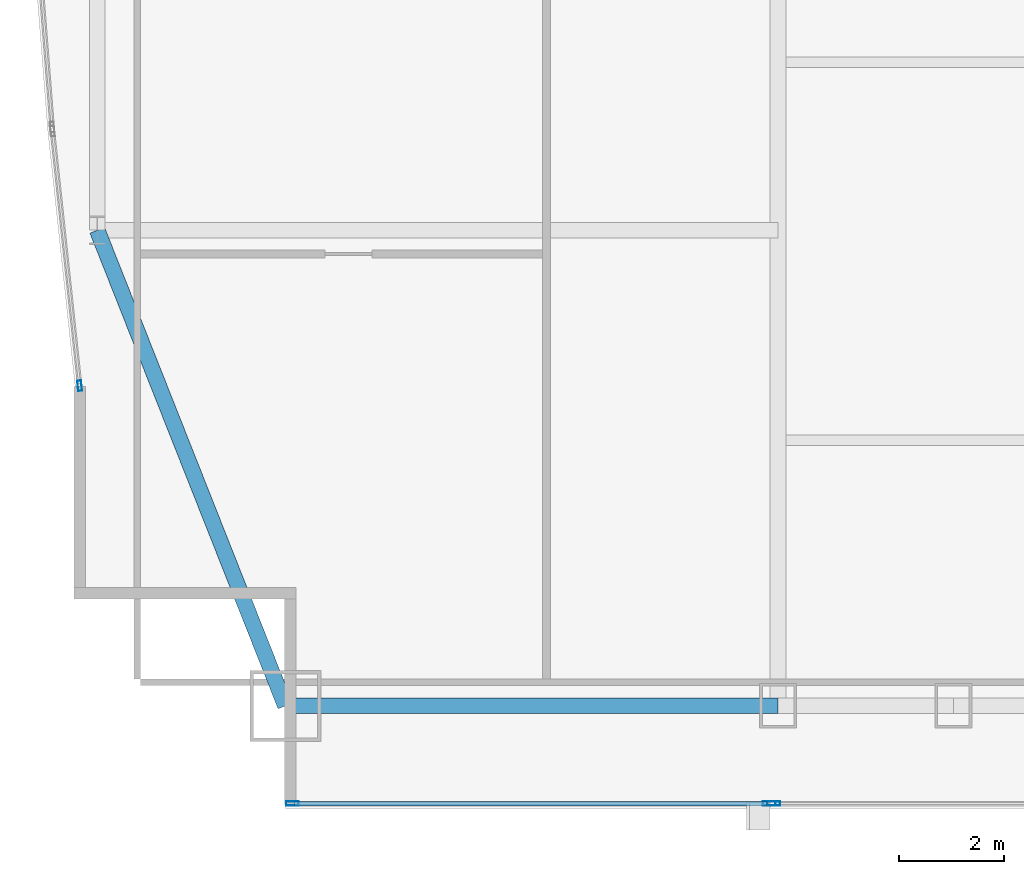
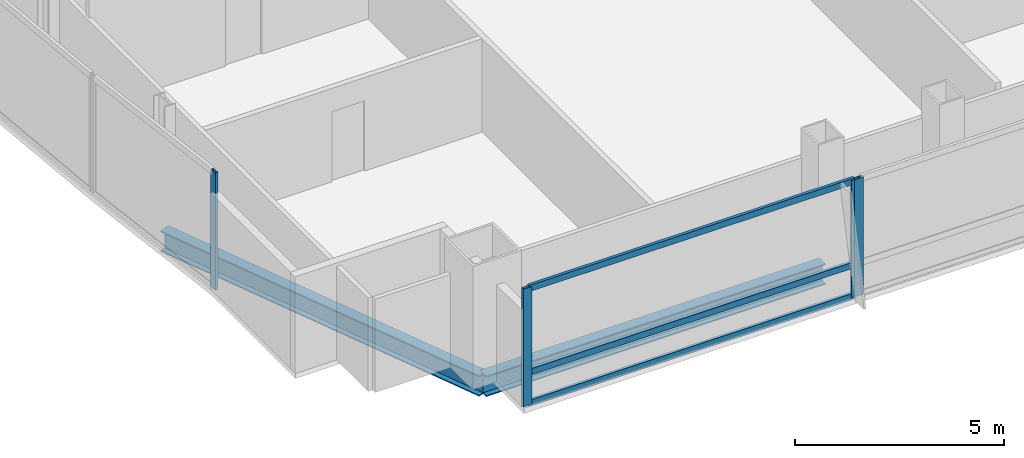
# One storey, part 5 of 29: 7 members, 2 beams, 3 elements without a shape of their own.
"""IFC4 building model written with IfcOpenShell, lengths in metres."""

from ifc_helpers import new_model, si_unit, direction, frame, origin, origin_2d, place, context, subcontext, project, spatial, hollow_rectangle, i_section, extrude, material, material_profile, profile_set, type_object, element, aggregate, save


model = new_model("IFC4")

# Units and contexts
model_context = context("Model", 3, precision=1e-05, world=origin(), true_north=direction((0.0, 1.0)))
body_context = subcontext(model_context, "Body", "Model", "MODEL_VIEW")
ifc_project = project(units=[si_unit("LENGTHUNIT", "METRE"), si_unit("AREAUNIT", "SQUARE_METRE"), si_unit("VOLUMEUNIT", "CUBIC_METRE"), si_unit("PLANEANGLEUNIT", "RADIAN"), si_unit("MASSUNIT", "GRAM", prefix="KILO")], contexts=[model_context])

# Site, building, storey
site_placement = place(None, origin())
site = spatial("IfcSite", under=ifc_project, at=site_placement, CompositionType="ELEMENT")
building_placement = place(site_placement, origin())
building = spatial("IfcBuilding", under=site, at=building_placement, Name="Khoronbel Lancet Exchange", CompositionType="ELEMENT")
storey_placement = place(building_placement, frame((0.0, 0.0, 139.800048828125)))
storey = spatial("IfcBuildingStorey", under=building, at=storey_placement, Name="L34", CompositionType="ELEMENT", Elevation=139.800048828125)

# Beams
ifc_material_1 = material(Name="Steel S355", Category="steel")
ifc_material_profile_1 = material_profile(ifc_material_1, i_section(OverallWidth=0.300048828125, OverallDepth=0.60009765625, WebThickness=0.015380859375, FlangeThickness=0.030029296875, at=origin_2d()), Name="HEB 600")
ifc_profile_set_1 = profile_set([ifc_material_profile_1], Name="Steel S355")
beam_type = type_object("IfcBeamType", Name="BM-BSP2", PredefinedType="SPANDREL", material=ifc_profile_set_1)
beam_1_placement = place(storey_placement, frame((8.85009765625, 10.14990234375, -0.4599609375), z_axis=(1.0, 0.0, 0.0), x_axis=(0.0, 1.0, 0.0)))
element("IfcBeam", 1, at=beam_1_placement, inside=storey, type_object=beam_type, Name="Level L34 perimeter spandrel beam SP01", PredefinedType="SPANDREL", context=body_context, shape_type="SweptSolid", body=[
    extrude(i_section(OverallWidth=0.300048828125, OverallDepth=0.60009765625, WebThickness=0.015380859375, FlangeThickness=0.030029296875, at=origin_2d()), origin(), (0.0, 0.0, 1.0), 9.375),
])
beam_2_placement = place(storey_placement, frame((5.27001953125, 19.199951171875, -0.4599609375), z_axis=(0.367850095026, -0.92988510451, 0.0), x_axis=(0.92988510451, 0.367850095026, 0.0)))
element("IfcBeam", 2, at=beam_2_placement, inside=storey, type_object=beam_type, Name="Level L34 perimeter spandrel beam SP21", PredefinedType="SPANDREL", context=body_context, shape_type="SweptSolid", body=[
    extrude(i_section(OverallWidth=0.300048828125, OverallDepth=0.60009765625, WebThickness=0.015380859375, FlangeThickness=0.030029296875, at=origin_2d()), origin(), (0.0, 0.0, 1.0), 9.732421875),
])

# Curtain wall, members
ifc_material_2 = material(Name="Low-E Solar Control Insulating Glass", Category="glass")
curtain_wall_type_1 = type_object("IfcCurtainWallType", Name="CW-3", PredefinedType="NOTDEFINED", material=ifc_material_2)
curtain_wall_1_placement = place(storey_placement, origin())
curtain_wall_1 = element("IfcCurtainWall", 3, at=curtain_wall_1_placement, inside=storey, type_object=curtain_wall_type_1, Name="Unitised curtain wall CW-L34-SWV", PredefinedType="NOTDEFINED")
ifc_material_3 = material(Name="Bronze-Anodised Aluminium 6063-T6", Category="aluminium")
ifc_material_profile_2 = material_profile(ifc_material_3, hollow_rectangle(XDim=0.0849609375, YDim=0.239990234375, WallThickness=0.006103515625, at=origin_2d()), Name="ALU MULLION 85x240")
ifc_profile_set_2 = profile_set([ifc_material_profile_2], Name="Bronze-Anodised Aluminium 6063-T6")
member_type_1 = type_object("IfcMemberType", Name="MEM-CWM1", PredefinedType="MULLION", material=ifc_profile_set_2)
member_1_placement = place(storey_placement, frame((8.982421875, 8.2900390625, 0.0), z_axis=(0.0, 0.0, 1.0), x_axis=(0.0, 1.0, 0.0)))
member_1 = element("IfcMember", 4, at=member_1_placement, type_object=member_type_1, Name="CW3 mullion 1", PredefinedType="MULLION", context=body_context, shape_type="SweptSolid", body=[
    extrude(hollow_rectangle(XDim=0.0849609375, YDim=0.239990234375, WallThickness=0.006103515625, at=origin_2d()), origin(), (0.0, 0.0, 1.0), 3.43994140625),
])
member_2_placement = place(storey_placement, frame((18.0576171875, 8.2900390625, 0.0), z_axis=(0.0, 0.0, 1.0), x_axis=(0.0, 1.0, 0.0)))
member_2 = element("IfcMember", 5, at=member_2_placement, type_object=member_type_1, Name="CW3 mullion 2", PredefinedType="MULLION", context=body_context, shape_type="SweptSolid", body=[
    extrude(hollow_rectangle(XDim=0.0849609375, YDim=0.239990234375, WallThickness=0.006103515625, at=origin_2d()), origin(), (0.0, 0.0, 1.0), 3.43994140625),
])

# Curtain wall, member
curtain_wall_2_placement = place(storey_placement, origin())
curtain_wall_2 = element("IfcCurtainWall", 6, at=curtain_wall_2_placement, inside=storey, type_object=curtain_wall_type_1, Name="Unitised curtain wall CW-L34-SWB", PredefinedType="NOTDEFINED")
member_3_placement = place(storey_placement, frame((18.142578125, 8.2900390625, 0.0), z_axis=(0.0, 0.0, 1.0), x_axis=(0.0, 1.0, 0.0)))
member_3 = element("IfcMember", 7, at=member_3_placement, type_object=member_type_1, Name="CW3 mullion 1", PredefinedType="MULLION", context=body_context, shape_type="SweptSolid", body=[
    extrude(hollow_rectangle(XDim=0.0849609375, YDim=0.239990234375, WallThickness=0.006103515625, at=origin_2d()), origin(), (0.0, 0.0, 1.0), 3.43994140625),
])
aggregate(curtain_wall_2, [member_3])

curtain_wall_type_2 = type_object("IfcCurtainWallType", Name="CW-4", PredefinedType="NOTDEFINED", material=ifc_material_2)
curtain_wall_3_placement = place(storey_placement, origin())
curtain_wall_3 = element("IfcCurtainWall", 8, at=curtain_wall_3_placement, inside=storey, type_object=curtain_wall_type_2, Name="Unitised curtain wall CW-L34-E04", PredefinedType="NOTDEFINED")
ifc_material_profile_3 = material_profile(ifc_material_3, hollow_rectangle(XDim=0.074951171875, YDim=0.199951171875, WallThickness=0.0048828125, at=origin_2d()), Name="ALU MULLION 75x200")
ifc_profile_set_3 = profile_set([ifc_material_profile_3], Name="Bronze-Anodised Aluminium 6063-T6")
member_type_2 = type_object("IfcMemberType", Name="MEM-CWM2", PredefinedType="MULLION", material=ifc_profile_set_3)
member_4_placement = place(storey_placement, frame((4.93603515625, 16.2421875, 0.0), z_axis=(0.0, 0.0, 1.0), x_axis=(-0.994346859972, -0.106180610586, 0.0)))
member_4 = element("IfcMember", 9, at=member_4_placement, type_object=member_type_2, Name="CW4 mullion 1", PredefinedType="MULLION", context=body_context, shape_type="SweptSolid", body=[
    extrude(hollow_rectangle(XDim=0.074951171875, YDim=0.199951171875, WallThickness=0.0048828125, at=origin_2d()), origin(), (0.0, 0.0, 1.0), 3.43994140625),
])
aggregate(curtain_wall_3, [member_4])

# Member
ifc_material_profile_4 = material_profile(ifc_material_3, hollow_rectangle(XDim=0.0849609375, YDim=0.179931640625, WallThickness=0.0048828125, at=origin_2d()), Name="ALU TRANSOM 85x180")
ifc_profile_set_4 = profile_set([ifc_material_profile_4], Name="Bronze-Anodised Aluminium 6063-T6")
member_type_3 = type_object("IfcMemberType", Name="MEM-CWT1", PredefinedType="USERDEFINED", material=ifc_profile_set_4)
member_5_placement = place(storey_placement, frame((9.02490234375, 8.2900390625, 0.04248046875), z_axis=(1.0, 0.0, 0.0), x_axis=(0.0, 1.0, 0.0)))
member_5 = element("IfcMember", 10, at=member_5_placement, type_object=member_type_3, Name="CW3 transom 1.1", ObjectType="TRANSOM", PredefinedType="USERDEFINED", context=body_context, shape_type="SweptSolid", body=[
    extrude(hollow_rectangle(XDim=0.0849609375, YDim=0.179931640625, WallThickness=0.0048828125, at=origin_2d()), origin(), (0.0, 0.0, 1.0), 8.989990234375),
])

member_6_placement = place(storey_placement, frame((9.02490234375, 8.2900390625, 0.949951171875), z_axis=(1.0, 0.0, 0.0), x_axis=(0.0, 1.0, 0.0)))
member_6 = element("IfcMember", 11, at=member_6_placement, type_object=member_type_3, Name="CW3 transom 1.2", ObjectType="TRANSOM", PredefinedType="USERDEFINED", context=body_context, shape_type="SweptSolid", body=[
    extrude(hollow_rectangle(XDim=0.0849609375, YDim=0.179931640625, WallThickness=0.0048828125, at=origin_2d()), origin(), (0.0, 0.0, 1.0), 8.989990234375),
])

member_7_placement = place(storey_placement, frame((9.02490234375, 8.2900390625, 3.3974609375), z_axis=(1.0, 0.0, 0.0), x_axis=(0.0, 1.0, 0.0)))
member_7 = element("IfcMember", 12, at=member_7_placement, type_object=member_type_3, Name="CW3 transom 1.3", ObjectType="TRANSOM", PredefinedType="USERDEFINED", context=body_context, shape_type="SweptSolid", body=[
    extrude(hollow_rectangle(XDim=0.0849609375, YDim=0.179931640625, WallThickness=0.0048828125, at=origin_2d()), origin(), (0.0, 0.0, 1.0), 8.989990234375),
])

aggregate(curtain_wall_1, [member_1, member_2, member_5, member_6, member_7])

save(model, "model.ifc")
